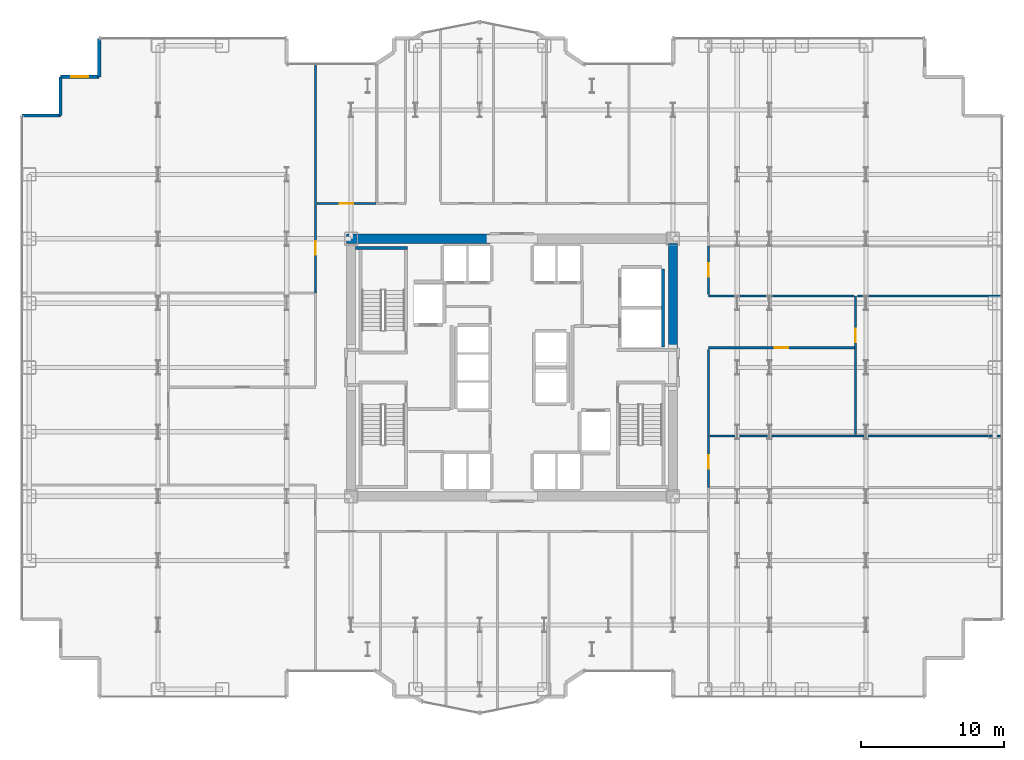
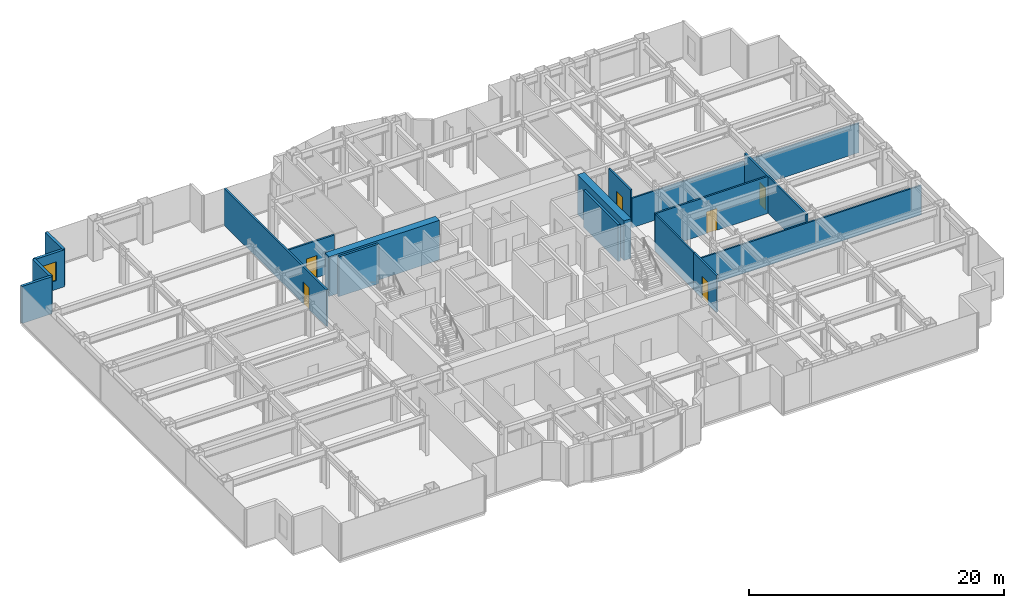
# One storey, part 23 of 26: 18 walls, 6 doors, 1 window, 7 openings.
"""IFC4 building model written with IfcOpenShell, lengths in metres."""

from ifc_helpers import new_model, si_unit, direction, frame, frame_2d, origin, place, context, subcontext, project, spatial, rectangle, extrude, source, transform, mapped, material, layer, layer_set, type_object, element, fill, save


model = new_model("IFC4")

# Units and contexts
model_context = context("Model", 3, precision=1e-05, world=origin(), true_north=direction((0.0, 1.0)))
body_context = subcontext(model_context, "Body", "Model", "MODEL_VIEW")
ifc_project = project(units=[si_unit("LENGTHUNIT", "METRE"), si_unit("AREAUNIT", "SQUARE_METRE"), si_unit("VOLUMEUNIT", "CUBIC_METRE"), si_unit("PLANEANGLEUNIT", "RADIAN"), si_unit("MASSUNIT", "GRAM", prefix="KILO")], contexts=[model_context])

# Site, building, storey
site_placement = place(None, origin())
site = spatial("IfcSite", under=ifc_project, at=site_placement, CompositionType="ELEMENT")
building_placement = place(site_placement, origin())
building = spatial("IfcBuilding", under=site, at=building_placement, Name="Nefas-Gora Pilgrimage Tower", CompositionType="ELEMENT")
storey_placement = place(building_placement, frame((0.0, 0.0, 36.800048828125)))
storey = spatial("IfcBuildingStorey", under=building, at=storey_placement, Name="L07", CompositionType="ELEMENT", Elevation=36.800048828125)

# Walls
ifc_material_1 = material(Name="Concrete C60/75", Category="concrete")
ifc_layer_1 = layer(ifc_material_1, 0.64990234375)
ifc_layer_set_1 = layer_set([ifc_layer_1], Name="Concrete C60/75")
wall_type_1 = type_object("IfcWallType", Name="SW-CORE-650", PredefinedType="SHEAR", material=ifc_layer_set_1)
shared_shape_1 = source(origin(), body_context, "Body", "SweptSolid", [
    extrude(rectangle(XDim=10.02490234375, YDim=0.64990234375, at=frame_2d((5.012451171875, 0.0))), origin(), (0.0, 0.0, 1.0), 3.800048828125),
])
wall_1_placement = place(storey_placement, frame((-11.574951171875, 9.0, 0.0), z_axis=(0.0, 0.0, 1.0), x_axis=(1.0, 0.0, 0.0)))
element("IfcWall", 1, at=wall_1_placement, inside=storey, type_object=wall_type_1, Name="L07 Core Shear Wall N-West", PredefinedType="SHEAR", context=body_context, shape_type="MappedRepresentation", body=[
    mapped(shared_shape_1, transform((0.0, 0.0, 0.0), x_axis=(1.0, 0.0, 0.0), y_axis=(0.0, 1.0, 0.0), z_axis=(0.0, 0.0, 1.0), scale=1.0)),
])
shared_shape_2 = source(origin(), body_context, "Body", "SweptSolid", [
    extrude(rectangle(XDim=7.324951171875, YDim=0.64990234375, at=frame_2d((3.66259765625, 0.0))), origin(), (0.0, 0.0, 1.0), 3.800048828125),
])
wall_2_placement = place(storey_placement, frame((11.25, 1.35009765625, 0.0), z_axis=(0.0, 0.0, 1.0), x_axis=(0.0, 1.0, 0.0)))
element("IfcWall", 2, at=wall_2_placement, inside=storey, type_object=wall_type_1, Name="L07 Core Shear Wall E-North", PredefinedType="SHEAR", context=body_context, shape_type="MappedRepresentation", body=[
    mapped(shared_shape_2, transform((0.0, 0.0, 0.0), x_axis=(1.0, 0.0, 0.0), y_axis=(0.0, 1.0, 0.0), z_axis=(0.0, 0.0, 1.0), scale=1.0)),
])
ifc_material_2 = material(Name="Precast concrete C45/55", Category="concrete")
ifc_layer_2 = layer(ifc_material_2, 0.239990234375)
ifc_layer_set_2 = layer_set([ifc_layer_2], Name="Precast concrete C45/55")
wall_type_2 = type_object("IfcWallType", Name="EW-SERR-240", PredefinedType="SHEAR", material=ifc_layer_set_2)
shared_shape_3 = source(origin(), body_context, "Body", "SweptSolid", [
    extrude(rectangle(XDim=2.699951171875, YDim=0.239990234375, at=frame_2d((1.35009765625, 0.0))), origin(), (0.0, 0.0, 1.0), 3.550048828125),
])
wall_3_placement = place(storey_placement, frame((-28.8701171875, 23.02001953125, 0.0), z_axis=(0.0, 0.0, 1.0), x_axis=(0.0, -1.0, 0.0)))
element("IfcWall", 3, at=wall_3_placement, inside=storey, type_object=wall_type_2, Name="L07 Serrated Corner Shear Pier Wall 20", PredefinedType="SHEAR", context=body_context, shape_type="MappedRepresentation", body=[
    mapped(shared_shape_3, transform((0.0, 0.0, 0.0), x_axis=(1.0, 0.0, 0.0), y_axis=(0.0, 1.0, 0.0), z_axis=(0.0, 0.0, 1.0), scale=1.0)),
])

# Wall, opening, window
wall_4_placement = place(storey_placement, frame((-28.8701171875, 20.320068359375, 0.0), z_axis=(0.0, 0.0, 1.0), x_axis=(-1.0, 0.0, 0.0)))
wall_4 = element("IfcWall", 4, at=wall_4_placement, inside=storey, type_object=wall_type_2, Name="L07 Serrated Corner Shear Pier Wall 21", PredefinedType="SHEAR", context=body_context, shape_type="MappedRepresentation", body=[
    mapped(shared_shape_3, transform((0.0, 0.0, 0.0), x_axis=(1.0, 0.0, 0.0), y_axis=(0.0, 1.0, 0.0), z_axis=(0.0, 0.0, 1.0), scale=1.0)),
])
opening_1_placement = place(wall_4_placement, frame((0.75, 0.0, 0.85009765625)))
opening_1 = element("IfcOpeningElement", 5, at=opening_1_placement, cuts=wall_4, Name="Opening W-V1", PredefinedType="OPENING", context=body_context, shape_type="SweptSolid", body=[
    extrude(rectangle(XDim=1.199951171875, YDim=1.800048828125, at=frame_2d((0.60009765625, 0.89990234375))), frame((0.0, 0.1298828125, 0.0), z_axis=(0.0, -1.0, 0.0), x_axis=(1.0, 0.0, 0.0)), (0.0, 0.0, 1.0), 0.260009765625),
])
ifc_material_3 = material(Name="Dark ceramic-fritted operable aluminium-glass window", Category="aluminium")
window_type = type_object("IfcWindowType", Name="WIN-VENT-1200x1800", PartitioningType="SINGLE_PANEL", PredefinedType="WINDOW", material=ifc_material_3)
shared_shape_4 = source(origin(), body_context, "Body", "SweptSolid", [
    extrude(rectangle(XDim=1.199951171875, YDim=1.800048828125, at=frame_2d((0.60009765625, 0.89990234375))), frame((0.0, 0.030029296875, 0.0), z_axis=(0.0, -1.0, 0.0), x_axis=(1.0, 0.0, 0.0)), (0.0, 0.0, 1.0), 0.06005859375),
])
window_placement = place(opening_1_placement, origin())
window = element("IfcWindow", 6, at=window_placement, inside=storey, type_object=window_type, Name="L07 Operable Parallel-Outswing Window 21", OverallHeight=1.800048828125, OverallWidth=1.199951171875, PartitioningType="SINGLE_PANEL", PredefinedType="WINDOW", context=body_context, shape_type="MappedRepresentation", body=[
    mapped(shared_shape_4, transform((0.0, 0.0, 0.0), x_axis=(1.0, 0.0, 0.0), y_axis=(0.0, 1.0, 0.0), z_axis=(0.0, 0.0, 1.0), scale=1.0)),
])
fill(opening_1, window)

# Walls
for number, where, z_axis, x_axis, name in (
    (7, (-31.570068359375, 20.320068359375, 0.0), (0.0, 0.0, 1.0), (0.0, -1.0, 0.0), "L07 Serrated Corner Shear Pier Wall 22"),
    (8, (-31.570068359375, 17.6201171875, 0.0), (0.0, 0.0, 1.0), (-1.0, 0.0, 0.0), "L07 Serrated Corner Shear Pier Wall 23"),
):
    element("IfcWall", number, at=place(storey_placement, frame(where, z_axis=z_axis, x_axis=x_axis)), inside=storey, type_object=wall_type_2, Name=name, PredefinedType="SHEAR", context=body_context, shape_type="MappedRepresentation", body=[
        mapped(shared_shape_3, transform((0.0, 0.0, 0.0), x_axis=(1.0, 0.0, 0.0), y_axis=(0.0, 1.0, 0.0), z_axis=(0.0, 0.0, 1.0), scale=1.0)),
    ])
ifc_material_4 = material(Name="Concrete C45/55", Category="concrete")
ifc_layer_3 = layer(ifc_material_4, 0.199951171875)
ifc_layer_set_3 = layer_set([ifc_layer_3], Name="Concrete C45/55")
wall_type_3 = type_object("IfcWallType", Name="IW-STAIR-200", PredefinedType="SOLIDWALL", material=ifc_layer_set_3)
shared_shape_5 = source(origin(), body_context, "Body", "SweptSolid", [
    extrude(rectangle(XDim=3.6298828125, YDim=0.199951171875, at=frame_2d((1.81494140625, 0.0))), origin(), (0.0, 0.0, 1.0), 3.800048828125),
])
wall_5_placement = place(storey_placement, frame((-7.300048828125, 8.35009765625, 0.0), z_axis=(0.0, 0.0, 1.0), x_axis=(-1.0, 0.0, 0.0)))
element("IfcWall", 9, at=wall_5_placement, inside=storey, type_object=wall_type_3, Name="L07 Stairwell Shear Wall ST-01-far", PredefinedType="SOLIDWALL", context=body_context, shape_type="MappedRepresentation", body=[
    mapped(shared_shape_5, transform((0.0, 0.0, 0.0), x_axis=(1.0, 0.0, 0.0), y_axis=(0.0, 1.0, 0.0), z_axis=(0.0, 0.0, 1.0), scale=1.0)),
])
ifc_material_5 = material(Name="Concrete C40/50", Category="concrete")
ifc_layer_4 = layer(ifc_material_5, 0.219970703125)
ifc_layer_set_4 = layer_set([ifc_layer_4], Name="Concrete C40/50")
wall_type_4 = type_object("IfcWallType", Name="IW-SHAFT-220", PredefinedType="SOLIDWALL", material=ifc_layer_set_4)
shared_shape_6 = source(origin(), body_context, "Body", "SweptSolid", [
    extrude(rectangle(XDim=5.449951171875, YDim=0.219970703125, at=frame_2d((2.72509765625, 0.0))), origin(), (0.0, 0.0, 1.0), 3.534912109375),
])
wall_6_placement = place(storey_placement, frame((10.56005859375, 1.449951171875, 0.0), z_axis=(0.0, 0.0, 1.0), x_axis=(0.0, 1.0, 0.0)))
element("IfcWall", 10, at=wall_6_placement, inside=storey, type_object=wall_type_4, Name="L07 Hoistway Wall SL-01-02-E", PredefinedType="SOLIDWALL", context=body_context, shape_type="MappedRepresentation", body=[
    mapped(shared_shape_6, transform((0.0, 0.0, 0.0), x_axis=(1.0, 0.0, 0.0), y_axis=(0.0, 1.0, 0.0), z_axis=(0.0, 0.0, 1.0), scale=1.0)),
])

# Wall, opening, door
ifc_material_6 = material(Name="Gypsum acoustic stud partition")
ifc_layer_5 = layer(ifc_material_6, 0.159912109375)
ifc_layer_set_5 = layer_set([ifc_layer_5], Name="Gypsum acoustic stud partition")
wall_type_5 = type_object("IfcWallType", Name="IW-CORR-160", PredefinedType="PARTITIONING", material=ifc_layer_set_5)
shared_shape_7 = source(origin(), body_context, "Body", "SweptSolid", [
    extrude(rectangle(XDim=10.25, YDim=0.159912109375, at=frame_2d((5.125, 0.0))), origin(), (0.0, 0.0, 1.0), 3.534912109375),
])
wall_7_placement = place(storey_placement, frame((13.72998046875, 1.3798828125, 0.0), z_axis=(0.0, 0.0, 1.0), x_axis=(1.0, 0.0, 0.0)))
wall_7 = element("IfcWall", 11, at=wall_7_placement, inside=storey, type_object=wall_type_5, Name="L07 Pilgrim Contemplative Lounge Partition Wall 34", PredefinedType="PARTITIONING", context=body_context, shape_type="MappedRepresentation", body=[
    mapped(shared_shape_7, transform((0.0, 0.0, 0.0), x_axis=(1.0, 0.0, 0.0), y_axis=(0.0, 1.0, 0.0), z_axis=(0.0, 0.0, 1.0), scale=1.0)),
])
opening_2_placement = place(wall_7_placement, frame((4.64990234375, 0.0, 0.0)))
opening_2 = element("IfcOpeningElement", 12, at=opening_2_placement, cuts=wall_7, Name="Opening ID-GR1", PredefinedType="OPENING", context=body_context, shape_type="SweptSolid", body=[
    extrude(rectangle(XDim=0.949951171875, YDim=2.10009765625, at=frame_2d((0.47509765625, 1.050048828125))), frame((0.0, 0.08984375, 0.0), z_axis=(0.0, -1.0, 0.0), x_axis=(1.0, 0.0, 0.0)), (0.0, 0.0, 1.0), 0.179931640625),
])
ifc_material_7 = material(Name="Solid core oak fire-rated guest entrance door")
door_type = type_object("IfcDoorType", Name="DR-INT-GUEST-950", OperationType="NOTDEFINED", PredefinedType="DOOR", material=ifc_material_7)
shared_shape_8 = source(origin(), body_context, "Body", "SweptSolid", [
    extrude(rectangle(XDim=0.949951171875, YDim=2.10009765625, at=frame_2d((0.47509765625, 1.050048828125))), frame((0.0, 0.02490234375, 0.0), z_axis=(0.0, -1.0, 0.0), x_axis=(1.0, 0.0, 0.0)), (0.0, 0.0, 1.0), 0.050048828125),
])
door_1_placement = place(opening_2_placement, origin())
door_1 = element("IfcDoor", 13, at=door_1_placement, inside=storey, type_object=door_type, Name="L07 Pilgrim Contemplative Lounge Door 15", OperationType="SINGLE_SWING_RIGHT", OverallHeight=2.10009765625, OverallWidth=0.949951171875, PredefinedType="DOOR", context=body_context, shape_type="MappedRepresentation", body=[
    mapped(shared_shape_8, transform((0.0, 0.0, 0.0), x_axis=(1.0, 0.0, 0.0), y_axis=(0.0, 1.0, 0.0), z_axis=(0.0, 0.0, 1.0), scale=1.0)),
])
fill(opening_2, door_1)

shared_shape_9 = source(origin(), body_context, "Body", "SweptSolid", [
    extrude(rectangle(XDim=16.044921875, YDim=0.159912109375, at=frame_2d((8.0224609375, 0.0))), origin(), (0.0, 0.0, 1.0), 3.534912109375),
])
wall_8_placement = place(storey_placement, frame((-13.739990234375, 5.195068359375, 0.0), z_axis=(0.0, 0.0, 1.0), x_axis=(0.0, 1.0, 0.0)))
wall_8 = element("IfcWall", 14, at=wall_8_placement, inside=storey, type_object=wall_type_5, Name="L07 Pilgrim Contemplative Lounge Partition Wall 29", PredefinedType="PARTITIONING", context=body_context, shape_type="MappedRepresentation", body=[
    mapped(shared_shape_9, transform((0.0, 0.0, 0.0), x_axis=(1.0, 0.0, 0.0), y_axis=(0.0, 1.0, 0.0), z_axis=(0.0, 0.0, 1.0), scale=1.0)),
])
opening_3_placement = place(wall_8_placement, frame((2.6826171875, 0.0, 0.0)))
opening_3 = element("IfcOpeningElement", 15, at=opening_3_placement, cuts=wall_8, Name="Opening ID-GR1", PredefinedType="OPENING", context=body_context, shape_type="SweptSolid", body=[
    extrude(rectangle(XDim=0.949951171875, YDim=2.10009765625, at=frame_2d((0.47509765625, 1.050048828125))), frame((0.0, 0.08984375, 0.0), z_axis=(0.0, -1.0, 0.0), x_axis=(1.0, 0.0, 0.0)), (0.0, 0.0, 1.0), 0.179931640625),
])
door_2_placement = place(opening_3_placement, origin())
door_2 = element("IfcDoor", 16, at=door_2_placement, inside=storey, type_object=door_type, Name="L07 Pilgrim Contemplative Lounge Door 12", OperationType="SINGLE_SWING_LEFT", OverallHeight=2.10009765625, OverallWidth=0.949951171875, PredefinedType="DOOR", context=body_context, shape_type="MappedRepresentation", body=[
    mapped(shared_shape_8, transform((0.0, 0.0, 0.0), x_axis=(1.0, 0.0, 0.0), y_axis=(0.0, 1.0, 0.0), z_axis=(0.0, 0.0, 1.0), scale=1.0)),
])
fill(opening_3, door_2)

shared_shape_10 = source(origin(), body_context, "Body", "SweptSolid", [
    extrude(rectangle(XDim=3.610107421875, YDim=0.159912109375, at=frame_2d((1.80517578125, 0.0))), origin(), (0.0, 0.0, 1.0), 3.534912109375),
])
wall_9_placement = place(storey_placement, frame((13.739990234375, -8.405029296875, 0.0), z_axis=(0.0, 0.0, 1.0), x_axis=(0.0, 1.0, 0.0)))
wall_9 = element("IfcWall", 17, at=wall_9_placement, inside=storey, type_object=wall_type_5, Name="L07 Pilgrim Contemplative Lounge Partition Wall 32", PredefinedType="PARTITIONING", context=body_context, shape_type="MappedRepresentation", body=[
    mapped(shared_shape_10, transform((0.0, 0.0, 0.0), x_axis=(1.0, 0.0, 0.0), y_axis=(0.0, 1.0, 0.0), z_axis=(0.0, 0.0, 1.0), scale=1.0)),
])
opening_4_placement = place(wall_9_placement, frame((1.330078125, 0.0, 0.0)))
opening_4 = element("IfcOpeningElement", 18, at=opening_4_placement, cuts=wall_9, Name="Opening ID-GR1", PredefinedType="OPENING", context=body_context, shape_type="SweptSolid", body=[
    extrude(rectangle(XDim=0.949951171875, YDim=2.10009765625, at=frame_2d((0.47509765625, 1.050048828125))), frame((0.0, 0.08984375, 0.0), z_axis=(0.0, -1.0, 0.0), x_axis=(1.0, 0.0, 0.0)), (0.0, 0.0, 1.0), 0.179931640625),
])
door_3_placement = place(opening_4_placement, origin())
door_3 = element("IfcDoor", 19, at=door_3_placement, inside=storey, type_object=door_type, Name="L07 Pilgrim Contemplative Lounge Door 14", OperationType="SINGLE_SWING_LEFT", OverallHeight=2.10009765625, OverallWidth=0.949951171875, PredefinedType="DOOR", context=body_context, shape_type="MappedRepresentation", body=[
    mapped(shared_shape_8, transform((0.0, 0.0, 0.0), x_axis=(1.0, 0.0, 0.0), y_axis=(0.0, 1.0, 0.0), z_axis=(0.0, 0.0, 1.0), scale=1.0)),
])
fill(opening_4, door_3)

# Wall
ifc_material_8 = material(Name="Gypsum twin-stud partition")
ifc_layer_6 = layer(ifc_material_8, 0.139892578125)
ifc_layer_set_6 = layer_set([ifc_layer_6], Name="Gypsum twin-stud partition")
wall_type_6 = type_object("IfcWallType", Name="IW-UNIT-140", PredefinedType="PARTITIONING", material=ifc_layer_set_6)
shared_shape_11 = source(origin(), body_context, "Body", "SweptSolid", [
    extrude(rectangle(XDim=6.06494140625, YDim=0.139892578125, at=frame_2d((3.032470703125, 0.0))), origin(), (0.0, 0.0, 1.0), 3.534912109375),
])
wall_10_placement = place(storey_placement, frame((13.739990234375, -4.804931640625, 0.0), z_axis=(0.0, 0.0, 1.0), x_axis=(0.0, 1.0, 0.0)))
element("IfcWall", 20, at=wall_10_placement, inside=storey, type_object=wall_type_6, Name="L07 Pilgrim Contemplative Lounge Partition Wall 35", PredefinedType="PARTITIONING", context=body_context, shape_type="MappedRepresentation", body=[
    mapped(shared_shape_11, transform((0.0, 0.0, 0.0), x_axis=(1.0, 0.0, 0.0), y_axis=(0.0, 1.0, 0.0), z_axis=(0.0, 0.0, 1.0), scale=1.0)),
])

# Wall, opening, door
shared_shape_12 = source(origin(), body_context, "Body", "SweptSolid", [
    extrude(rectangle(XDim=9.699951171875, YDim=0.159912109375, at=frame_2d((4.85009765625, 0.0))), origin(), (0.0, 0.0, 1.0), 3.534912109375),
])
wall_11_placement = place(storey_placement, frame((24.02001953125, -4.695068359375, 0.0), z_axis=(0.0, 0.0, 1.0), x_axis=(0.0, 1.0, 0.0)))
wall_11 = element("IfcWall", 21, at=wall_11_placement, inside=storey, type_object=wall_type_5, Name="L07 Pilgrim Contemplative Lounge Partition Wall 36", PredefinedType="PARTITIONING", context=body_context, shape_type="MappedRepresentation", body=[
    mapped(shared_shape_12, transform((0.0, 0.0, 0.0), x_axis=(1.0, 0.0, 0.0), y_axis=(0.0, 1.0, 0.0), z_axis=(0.0, 0.0, 1.0), scale=1.0)),
])
opening_5_placement = place(wall_11_placement, frame((6.469970703125, 0.0, 0.0)))
opening_5 = element("IfcOpeningElement", 22, at=opening_5_placement, cuts=wall_11, Name="Opening ID-GR1", PredefinedType="OPENING", context=body_context, shape_type="SweptSolid", body=[
    extrude(rectangle(XDim=0.949951171875, YDim=2.10009765625, at=frame_2d((0.47509765625, 1.050048828125))), frame((0.0, 0.08984375, 0.0), z_axis=(0.0, -1.0, 0.0), x_axis=(1.0, 0.0, 0.0)), (0.0, 0.0, 1.0), 0.179931640625),
])
door_4_placement = place(opening_5_placement, origin())
door_4 = element("IfcDoor", 23, at=door_4_placement, inside=storey, type_object=door_type, Name="L07 Pilgrim Contemplative Lounge Door 16", OperationType="SINGLE_SWING_LEFT", OverallHeight=2.10009765625, OverallWidth=0.949951171875, PredefinedType="DOOR", context=body_context, shape_type="MappedRepresentation", body=[
    mapped(shared_shape_8, transform((0.0, 0.0, 0.0), x_axis=(1.0, 0.0, 0.0), y_axis=(0.0, 1.0, 0.0), z_axis=(0.0, 0.0, 1.0), scale=1.0)),
])
fill(opening_5, door_4)

# Wall
shared_shape_13 = source(origin(), body_context, "Body", "SweptSolid", [
    extrude(rectangle(XDim=10.169921875, YDim=0.139892578125, at=frame_2d((5.0849609375, 0.0))), origin(), (0.0, 0.0, 1.0), 2.824951171875),
])
wall_12_placement = place(storey_placement, frame((13.72998046875, 4.9951171875, 0.0), z_axis=(0.0, 0.0, 1.0), x_axis=(1.0, 0.0, 0.0)))
element("IfcWall", 24, at=wall_12_placement, inside=storey, type_object=wall_type_6, Name="L07 Pilgrim Contemplative Lounge Partition Wall 37", PredefinedType="PARTITIONING", context=body_context, shape_type="MappedRepresentation", body=[
    mapped(shared_shape_13, transform((0.0, 0.0, 0.0), x_axis=(1.0, 0.0, 0.0), y_axis=(0.0, 1.0, 0.0), z_axis=(0.0, 0.0, 1.0), scale=1.0)),
])

# Wall, opening, door
shared_shape_14 = source(origin(), body_context, "Body", "SweptSolid", [
    extrude(rectangle(XDim=3.39990234375, YDim=0.159912109375, at=frame_2d((1.699951171875, 0.0))), origin(), (0.0, 0.0, 1.0), 3.534912109375),
])
wall_13_placement = place(storey_placement, frame((13.739990234375, 5.10498046875, 0.0), z_axis=(0.0, 0.0, 1.0), x_axis=(0.0, 1.0, 0.0)))
wall_13 = element("IfcWall", 25, at=wall_13_placement, inside=storey, type_object=wall_type_5, Name="L07 Pilgrim Contemplative Lounge Partition Wall 39", PredefinedType="PARTITIONING", context=body_context, shape_type="MappedRepresentation", body=[
    mapped(shared_shape_14, transform((0.0, 0.0, 0.0), x_axis=(1.0, 0.0, 0.0), y_axis=(0.0, 1.0, 0.0), z_axis=(0.0, 0.0, 1.0), scale=1.0)),
])
opening_6_placement = place(wall_13_placement, frame((1.22509765625, 0.0, 0.0)))
opening_6 = element("IfcOpeningElement", 26, at=opening_6_placement, cuts=wall_13, Name="Opening ID-GR1", PredefinedType="OPENING", context=body_context, shape_type="SweptSolid", body=[
    extrude(rectangle(XDim=0.949951171875, YDim=2.10009765625, at=frame_2d((0.47509765625, 1.050048828125))), frame((0.0, 0.08984375, 0.0), z_axis=(0.0, -1.0, 0.0), x_axis=(1.0, 0.0, 0.0)), (0.0, 0.0, 1.0), 0.179931640625),
])
door_5_placement = place(opening_6_placement, origin())
door_5 = element("IfcDoor", 27, at=door_5_placement, inside=storey, type_object=door_type, Name="L07 Pilgrim Contemplative Lounge Door 17", OperationType="SINGLE_SWING_RIGHT", OverallHeight=2.10009765625, OverallWidth=0.949951171875, PredefinedType="DOOR", context=body_context, shape_type="MappedRepresentation", body=[
    mapped(shared_shape_8, transform((0.0, 0.0, 0.0), x_axis=(1.0, 0.0, 0.0), y_axis=(0.0, 1.0, 0.0), z_axis=(0.0, 0.0, 1.0), scale=1.0)),
])
fill(opening_6, door_5)

shared_shape_15 = source(origin(), body_context, "Body", "SweptSolid", [
    extrude(rectangle(XDim=4.125, YDim=0.159912109375, at=frame_2d((2.0625, 0.0))), origin(), (0.0, 0.0, 1.0), 3.534912109375),
])
wall_14_placement = place(storey_placement, frame((-13.6201171875, 11.469970703125, 0.0), z_axis=(0.0, 0.0, 1.0), x_axis=(1.0, 0.0, 0.0)))
wall_14 = element("IfcWall", 28, at=wall_14_placement, inside=storey, type_object=wall_type_5, Name="L07 Pilgrim Contemplative Lounge Partition Wall 42", PredefinedType="PARTITIONING", context=body_context, shape_type="MappedRepresentation", body=[
    mapped(shared_shape_15, transform((0.0, 0.0, 0.0), x_axis=(1.0, 0.0, 0.0), y_axis=(0.0, 1.0, 0.0), z_axis=(0.0, 0.0, 1.0), scale=1.0)),
])
opening_7_placement = place(wall_14_placement, frame((1.58740234375, 0.0, 0.0)))
opening_7 = element("IfcOpeningElement", 29, at=opening_7_placement, cuts=wall_14, Name="Opening ID-GR1", PredefinedType="OPENING", context=body_context, shape_type="SweptSolid", body=[
    extrude(rectangle(XDim=0.949951171875, YDim=2.10009765625, at=frame_2d((0.47509765625, 1.050048828125))), frame((0.0, 0.08984375, 0.0), z_axis=(0.0, -1.0, 0.0), x_axis=(1.0, 0.0, 0.0)), (0.0, 0.0, 1.0), 0.179931640625),
])
door_6_placement = place(opening_7_placement, origin())
door_6 = element("IfcDoor", 30, at=door_6_placement, inside=storey, type_object=door_type, Name="L07 Pilgrim Contemplative Lounge Door 19", OperationType="SINGLE_SWING_RIGHT", OverallHeight=2.10009765625, OverallWidth=0.949951171875, PredefinedType="DOOR", context=body_context, shape_type="MappedRepresentation", body=[
    mapped(shared_shape_8, transform((0.0, 0.0, 0.0), x_axis=(1.0, 0.0, 0.0), y_axis=(0.0, 1.0, 0.0), z_axis=(0.0, 0.0, 1.0), scale=1.0)),
])
fill(opening_7, door_6)

# Walls
shared_shape_16 = source(origin(), body_context, "Body", "SweptSolid", [
    extrude(rectangle(XDim=20.429931640625, YDim=0.139892578125, at=frame_2d((10.21484375, 0.0))), origin(), (0.0, 0.0, 1.0), 2.824951171875),
])
wall_15_placement = place(storey_placement, frame((13.860107421875, -4.804931640625, 0.0), z_axis=(0.0, 0.0, 1.0), x_axis=(1.0, 0.0, 0.0)))
element("IfcWall", 31, at=wall_15_placement, inside=storey, type_object=wall_type_6, Name="L07 Pilgrim Contemplative Lounge Partition Wall 33", PredefinedType="PARTITIONING", context=body_context, shape_type="MappedRepresentation", body=[
    mapped(shared_shape_16, transform((0.0, 0.0, 0.0), x_axis=(1.0, 0.0, 0.0), y_axis=(0.0, 1.0, 0.0), z_axis=(0.0, 0.0, 1.0), scale=1.0)),
])
shared_shape_17 = source(origin(), body_context, "Body", "SweptSolid", [
    extrude(rectangle(XDim=10.150146484375, YDim=0.139892578125, at=frame_2d((5.0751953125, 0.0))), origin(), (0.0, 0.0, 1.0), 2.824951171875),
])
wall_16_placement = place(storey_placement, frame((24.139892578125, 4.9951171875, 0.0), z_axis=(0.0, 0.0, 1.0), x_axis=(1.0, 0.0, 0.0)))
element("IfcWall", 32, at=wall_16_placement, inside=storey, type_object=wall_type_6, Name="L07 Pilgrim Contemplative Lounge Partition Wall 38", PredefinedType="PARTITIONING", context=body_context, shape_type="MappedRepresentation", body=[
    mapped(shared_shape_17, transform((0.0, 0.0, 0.0), x_axis=(1.0, 0.0, 0.0), y_axis=(0.0, 1.0, 0.0), z_axis=(0.0, 0.0, 1.0), scale=1.0)),
])

save(model, "model.ifc")
